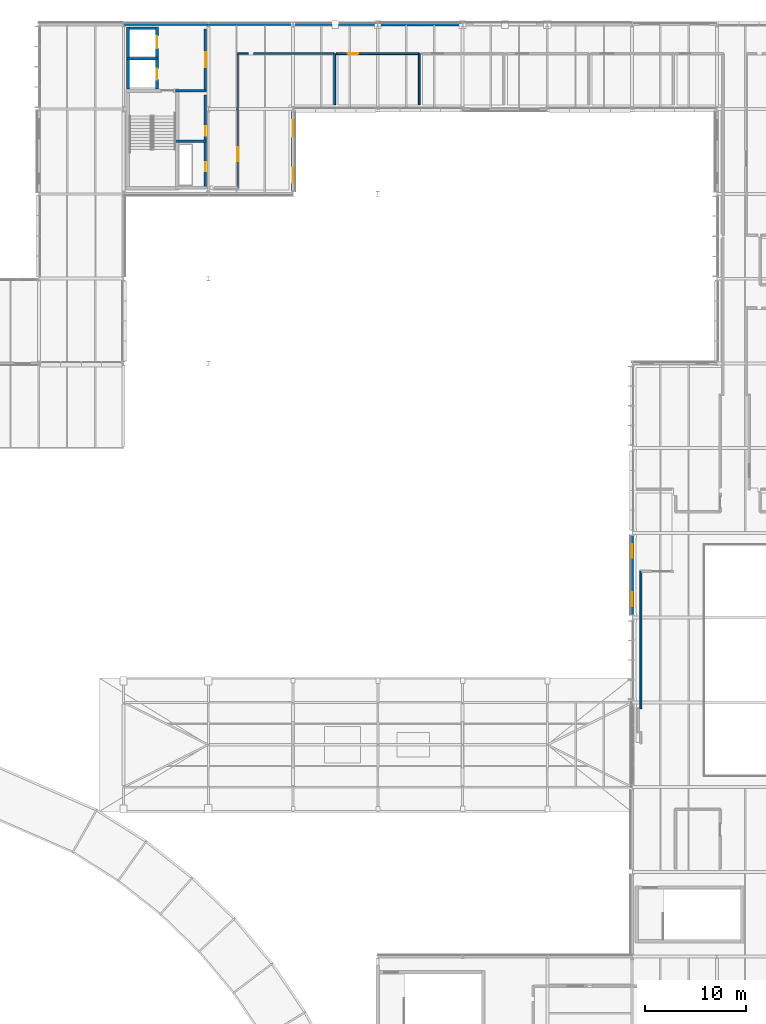
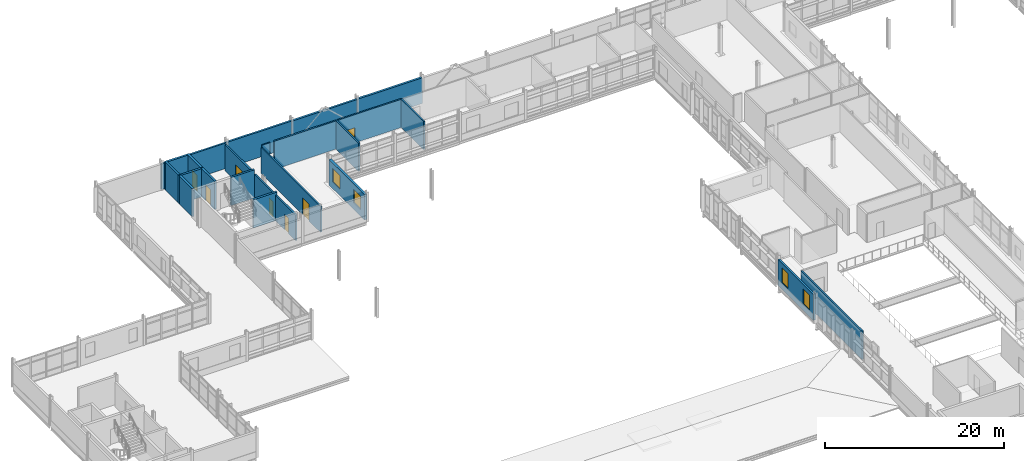
# One storey, part 125 of 151: 24 walls, 7 doors, 4 windows, 11 openings.
"""IFC4 building model written with IfcOpenShell, lengths in metres."""

from ifc_helpers import new_model, si_unit, direction, frame, frame_2d, origin, place, context, subcontext, project, spatial, rectangle, extrude, material, layer, layer_set, type_object, element, fill, save


model = new_model("IFC4")

# Units and contexts
model_context = context("Model", 3, precision=1e-05, world=origin(), true_north=direction((0.0, 1.0)))
body_context = subcontext(model_context, "Body", "Model", "MODEL_VIEW")
ifc_project = project(units=[si_unit("LENGTHUNIT", "METRE"), si_unit("AREAUNIT", "SQUARE_METRE"), si_unit("VOLUMEUNIT", "CUBIC_METRE"), si_unit("PLANEANGLEUNIT", "RADIAN"), si_unit("MASSUNIT", "GRAM", prefix="KILO")], contexts=[model_context])

# Site, building, storey
site_placement = place(None, origin())
site = spatial("IfcSite", under=ifc_project, at=site_placement, CompositionType="ELEMENT")
building_placement = place(site_placement, origin())
building = spatial("IfcBuilding", under=site, at=building_placement, Name="Mersafa Astral City Hall", CompositionType="ELEMENT")
storey_placement = place(building_placement, frame((0.0, 0.0, 9.89990234375)))
storey = spatial("IfcBuildingStorey", under=building, at=storey_placement, Name="L02", CompositionType="ELEMENT", Elevation=9.89990234375)

# Walls
ifc_material_1 = material(Name="Precast concrete C40/50 insulated terracotta spandrel", Category="masonry")
ifc_layer_1 = layer(ifc_material_1, 0.235107421875, Name="Precast concrete C40/50 insulated terracotta spandrel")
ifc_layer_set_1 = layer_set([ifc_layer_1], Name="Precast concrete C40/50 insulated terracotta spandrel — ENV-WAL-EXT-235")
wall_type_1 = type_object("IfcWallType", Name="ENV-WAL-EXT-235", PredefinedType="STANDARD", material=ifc_layer_set_1)
wall_1_placement = place(storey_placement, frame((50.39208984375, 126.0, 0.0), z_axis=(0.0, 0.0, 1.0), x_axis=(-1.0, 0.0, 0.0)))
element("IfcWall", 1, at=wall_1_placement, inside=storey, type_object=wall_type_1, Name="L02 Limestone-clad exterior wall 203", PredefinedType="STANDARD", context=body_context, shape_type="SweptSolid", body=[
    extrude(rectangle(XDim=8.384033203125, YDim=0.235107421875, at=frame_2d((4.19189453125, 0.0))), origin(), (0.0, 0.0, 1.0), 3.47216796875),
])
ifc_layer_2 = layer(ifc_material_1, 0.25, Name="Precast concrete C40/50 insulated terracotta spandrel")
ifc_layer_set_2 = layer_set([ifc_layer_2], Name="Precast concrete C40/50 insulated terracotta spandrel — ENV-WAL-EXT-250")
wall_type_2 = type_object("IfcWallType", Name="ENV-WAL-EXT-250", PredefinedType="STANDARD", material=ifc_layer_set_2)
wall_2_placement = place(storey_placement, frame((58.7919921875, 126.0, 0.0), z_axis=(0.0, 0.0, 1.0), x_axis=(-1.0, 0.0, 0.0)))
element("IfcWall", 2, at=wall_2_placement, inside=storey, type_object=wall_type_2, Name="L02 Limestone-clad exterior wall 202", PredefinedType="STANDARD", context=body_context, shape_type="SweptSolid", body=[
    extrude(rectangle(XDim=8.384033203125, YDim=0.25, at=frame_2d((4.19189453125, 0.0))), origin(), (0.0, 0.0, 1.0), 3.502197265625),
])

# Wall, openings, windows
wall_3_placement = place(storey_placement, frame((92.39990234375, 75.3291015625, 0.0), z_axis=(0.0, 0.0, 1.0), x_axis=(0.0, -1.0, 0.0)))
wall_3 = element("IfcWall", 3, at=wall_3_placement, inside=storey, type_object=wall_type_2, Name="L02 Limestone-clad exterior wall 220", PredefinedType="STANDARD", context=body_context, shape_type="SweptSolid", body=[
    extrude(rectangle(XDim=7.858154296875, YDim=0.25, at=frame_2d((3.92919921875, 0.0))), origin(), (0.0, 0.0, 1.0), 3.56201171875),
])
opening_1_placement = place(wall_3_placement, frame((0.85009765625, 0.0, 0.89990234375)))
opening_1 = element("IfcOpeningElement", 4, at=opening_1_placement, cuts=wall_3, Name="Opening W-54", PredefinedType="OPENING", context=body_context, shape_type="SweptSolid", body=[
    extrude(rectangle(XDim=1.320068359375, YDim=2.050048828125, at=frame_2d((0.66015625, 1.02490234375))), frame((0.0, 0.135009765625, 0.0), z_axis=(0.0, -1.0, 0.0), x_axis=(1.0, 0.0, 0.0)), (0.0, 0.0, 1.0), 0.27001953125),
])
opening_2_placement = place(wall_3_placement, frame((5.587890625, 0.0, 0.89990234375)))
opening_2 = element("IfcOpeningElement", 5, at=opening_2_placement, cuts=wall_3, Name="Opening W-55", PredefinedType="OPENING", context=body_context, shape_type="SweptSolid", body=[
    extrude(rectangle(XDim=1.419921875, YDim=2.050048828125, at=frame_2d((0.7099609375, 1.02490234375))), frame((0.0, 0.135009765625, 0.0), z_axis=(0.0, -1.0, 0.0), x_axis=(1.0, 0.0, 0.0)), (0.0, 0.0, 1.0), 0.27001953125),
])
ifc_material_2 = material(Name="Solar control low-e double glazing in bronze frame", Category="glass")
window_type_1 = type_object("IfcWindowType", Name="ENV-WIN-W-54", PartitioningType="SINGLE_PANEL", PredefinedType="WINDOW", material=ifc_material_2)
window_1_placement = place(opening_1_placement, origin())
window_1 = element("IfcWindow", 6, at=window_1_placement, inside=storey, type_object=window_type_1, Name="L02 Solar punched window 220-L", OverallHeight=2.050048828125, OverallWidth=1.320068359375, PartitioningType="SINGLE_PANEL", PredefinedType="WINDOW", context=body_context, shape_type="SweptSolid", body=[
    extrude(rectangle(XDim=1.320068359375, YDim=2.050048828125, at=frame_2d((0.66015625, 1.02490234375))), frame((0.0, 0.030029296875, 0.0), z_axis=(0.0, -1.0, 0.0), x_axis=(1.0, 0.0, 0.0)), (0.0, 0.0, 1.0), 0.06005859375),
])
fill(opening_1, window_1)
window_type_2 = type_object("IfcWindowType", Name="ENV-WIN-W-55", PartitioningType="SINGLE_PANEL", PredefinedType="WINDOW", material=ifc_material_2)
window_2_placement = place(opening_2_placement, origin())
window_2 = element("IfcWindow", 7, at=window_2_placement, inside=storey, type_object=window_type_2, Name="L02 Solar punched window 220-R", OverallHeight=2.050048828125, OverallWidth=1.419921875, PartitioningType="SINGLE_PANEL", PredefinedType="WINDOW", context=body_context, shape_type="SweptSolid", body=[
    extrude(rectangle(XDim=1.419921875, YDim=2.050048828125, at=frame_2d((0.7099609375, 1.02490234375))), frame((0.0, 0.030029296875, 0.0), z_axis=(0.0, -1.0, 0.0), x_axis=(1.0, 0.0, 0.0)), (0.0, 0.0, 1.0), 0.06005859375),
])
fill(opening_2, window_2)

# Walls
ifc_material_3 = material(Name="Precast concrete C40/50 insulated limestone wall", Category="masonry")
ifc_layer_3 = layer(ifc_material_3, 0.264892578125, Name="Precast concrete C40/50 insulated limestone wall")
ifc_layer_set_3 = layer_set([ifc_layer_3], Name="Precast concrete C40/50 insulated limestone wall — ENV-WAL-EXT-265")
wall_type_3 = type_object("IfcWallType", Name="ENV-WAL-EXT-265", PredefinedType="STANDARD", material=ifc_layer_set_3)
wall_4_placement = place(storey_placement, frame((67.19189453125, 126.0, 0.0), z_axis=(0.0, 0.0, 1.0), x_axis=(-1.0, 0.0, 0.0)))
element("IfcWall", 8, at=wall_4_placement, inside=storey, type_object=wall_type_3, Name="L02 Limestone-clad exterior wall 201", PredefinedType="STANDARD", context=body_context, shape_type="SweptSolid", body=[
    extrude(rectangle(XDim=8.3837890625, YDim=0.264892578125, at=frame_2d((4.19189453125, 0.0))), origin(), (0.0, 0.0, 1.0), 3.47216796875),
])
ifc_layer_4 = layer(ifc_material_3, 0.280029296875, Name="Precast concrete C40/50 insulated limestone wall")
ifc_layer_set_4 = layer_set([ifc_layer_4], Name="Precast concrete C40/50 insulated limestone wall — ENV-WAL-EXT-280")
wall_type_4 = type_object("IfcWallType", Name="ENV-WAL-EXT-280", PredefinedType="STANDARD", material=ifc_layer_set_4)
wall_5_placement = place(storey_placement, frame((75.592041015625, 126.0, 0.0), z_axis=(0.0, 0.0, 1.0), x_axis=(-1.0, 0.0, 0.0)))
element("IfcWall", 9, at=wall_5_placement, inside=storey, type_object=wall_type_4, Name="L02 Limestone-clad exterior wall 200", PredefinedType="STANDARD", context=body_context, shape_type="SweptSolid", body=[
    extrude(rectangle(XDim=8.384033203125, YDim=0.280029296875, at=frame_2d((4.19189453125, 0.0))), origin(), (0.0, 0.0, 1.0), 3.502197265625),
])

# Wall, openings, windows
ifc_layer_5 = layer(ifc_material_3, 0.31005859375, Name="Precast concrete C40/50 insulated limestone wall")
ifc_layer_set_5 = layer_set([ifc_layer_5], Name="Precast concrete C40/50 insulated limestone wall — ENV-WAL-EXT-310")
wall_type_5 = type_object("IfcWallType", Name="ENV-WAL-EXT-310", PredefinedType="STANDARD", material=ifc_layer_set_5)
wall_6_placement = place(storey_placement, frame((58.800048828125, 109.446044921875, 0.0), z_axis=(0.0, 0.0, 1.0), x_axis=(0.0, 1.0, 0.0)))
wall_6 = element("IfcWall", 10, at=wall_6_placement, inside=storey, type_object=wall_type_5, Name="L02 Limestone-clad exterior wall 216", PredefinedType="STANDARD", context=body_context, shape_type="SweptSolid", body=[
    extrude(rectangle(XDim=7.907958984375, YDim=0.31005859375, at=frame_2d((3.9541015625, 0.0))), origin(), (0.0, 0.0, 1.0), 3.47216796875),
])
opening_3_placement = place(wall_6_placement, frame((0.85009765625, 0.0, 0.89990234375)))
opening_3 = element("IfcOpeningElement", 11, at=opening_3_placement, cuts=wall_6, Name="Opening W-46", PredefinedType="OPENING", context=body_context, shape_type="SweptSolid", body=[
    extrude(rectangle(XDim=1.52001953125, YDim=1.85009765625, at=frame_2d((0.760009765625, 0.925048828125))), frame((0.0, 0.1650390625, 0.0), z_axis=(0.0, -1.0, 0.0), x_axis=(1.0, 0.0, 0.0)), (0.0, 0.0, 1.0), 0.330078125),
])
opening_4_placement = place(wall_6_placement, frame((5.43798828125, 0.0, 0.89990234375)))
opening_4 = element("IfcOpeningElement", 12, at=opening_4_placement, cuts=wall_6, Name="Opening W-47", PredefinedType="OPENING", context=body_context, shape_type="SweptSolid", body=[
    extrude(rectangle(XDim=1.6201171875, YDim=1.85009765625, at=frame_2d((0.81005859375, 0.925048828125))), frame((0.0, 0.1650390625, 0.0), z_axis=(0.0, -1.0, 0.0), x_axis=(1.0, 0.0, 0.0)), (0.0, 0.0, 1.0), 0.330078125),
])
window_type_3 = type_object("IfcWindowType", Name="ENV-WIN-W-46", PartitioningType="SINGLE_PANEL", PredefinedType="WINDOW", material=ifc_material_2)
window_3_placement = place(opening_3_placement, origin())
window_3 = element("IfcWindow", 13, at=window_3_placement, inside=storey, type_object=window_type_3, Name="L02 Solar punched window 216-L", OverallHeight=1.85009765625, OverallWidth=1.52001953125, PartitioningType="SINGLE_PANEL", PredefinedType="WINDOW", context=body_context, shape_type="SweptSolid", body=[
    extrude(rectangle(XDim=1.52001953125, YDim=1.85009765625, at=frame_2d((0.760009765625, 0.925048828125))), frame((0.0, 0.030029296875, 0.0), z_axis=(0.0, -1.0, 0.0), x_axis=(1.0, 0.0, 0.0)), (0.0, 0.0, 1.0), 0.06005859375),
])
fill(opening_3, window_3)
window_type_4 = type_object("IfcWindowType", Name="ENV-WIN-W-47", PartitioningType="SINGLE_PANEL", PredefinedType="WINDOW", material=ifc_material_2)
window_4_placement = place(opening_4_placement, origin())
window_4 = element("IfcWindow", 14, at=window_4_placement, inside=storey, type_object=window_type_4, Name="L02 Solar punched window 216-R", OverallHeight=1.85009765625, OverallWidth=1.6201171875, PartitioningType="SINGLE_PANEL", PredefinedType="WINDOW", context=body_context, shape_type="SweptSolid", body=[
    extrude(rectangle(XDim=1.6201171875, YDim=1.85009765625, at=frame_2d((0.81005859375, 0.925048828125))), frame((0.0, 0.030029296875, 0.0), z_axis=(0.0, -1.0, 0.0), x_axis=(1.0, 0.0, 0.0)), (0.0, 0.0, 1.0), 0.06005859375),
])
fill(opening_4, window_4)

# Walls
ifc_material_4 = material(Name="Concrete C40/50", Category="concrete")
ifc_layer_6 = layer(ifc_material_4, 0.260009765625, Name="Concrete C40/50")
ifc_layer_set_6 = layer_set([ifc_layer_6], Name="Concrete C40/50 — INT-WAL-CORE-260")
wall_type_6 = type_object("IfcWallType", Name="INT-WAL-CORE-260", PredefinedType="SHEAR", material=ifc_layer_set_6)
wall_7_placement = place(storey_placement, frame((42.31494140625, 122.5849609375, 0.0), z_axis=(0.0, 0.0, 1.0), x_axis=(1.0, 0.0, 0.0)))
element("IfcWall", 15, at=wall_7_placement, inside=storey, type_object=wall_type_6, Name="L02 Lift LF5 north shaft wall", PredefinedType="SHEAR", context=body_context, shape_type="SweptSolid", body=[
    extrude(rectangle(XDim=3.130126953125, YDim=0.260009765625, at=frame_2d((1.56494140625, 0.0))), origin(), (0.0, 0.0, 1.0), 3.840087890625),
])
wall_8_placement = place(storey_placement, frame((42.445068359375, 119.596923828125, 0.0), z_axis=(0.0, 0.0, 1.0), x_axis=(0.0, 1.0, 0.0)))
element("IfcWall", 16, at=wall_8_placement, inside=storey, type_object=wall_type_6, Name="L02 Lift LF5 back shaft wall", PredefinedType="SHEAR", context=body_context, shape_type="SweptSolid", body=[
    extrude(rectangle(XDim=2.947998046875, YDim=0.260009765625, at=frame_2d((1.47412109375, 0.0))), origin(), (0.0, 0.0, 1.0), 3.840087890625),
])

# Wall, opening, door
wall_9_placement = place(storey_placement, frame((45.31494140625, 119.596923828125, 0.0), z_axis=(0.0, 0.0, 1.0), x_axis=(0.0, 1.0, 0.0)))
wall_9 = element("IfcWall", 17, at=wall_9_placement, inside=storey, type_object=wall_type_6, Name="L02 Lift LF5 front shaft wall", PredefinedType="SHEAR", context=body_context, shape_type="SweptSolid", body=[
    extrude(rectangle(XDim=2.947998046875, YDim=0.260009765625, at=frame_2d((1.47412109375, 0.0))), origin(), (0.0, 0.0, 1.0), 3.840087890625),
])
opening_5_placement = place(wall_9_placement, frame((0.924072265625, 0.0, 0.0)))
opening_5 = element("IfcOpeningElement", 18, at=opening_5_placement, cuts=wall_9, Name="Opening LD-1", PredefinedType="OPENING", context=body_context, shape_type="SweptSolid", body=[
    extrude(rectangle(XDim=1.10009765625, YDim=2.14990234375, at=frame_2d((0.550048828125, 1.074951171875))), frame((0.0, 0.139892578125, 0.0), z_axis=(0.0, -1.0, 0.0), x_axis=(1.0, 0.0, 0.0)), (0.0, 0.0, 1.0), 0.280029296875),
])
ifc_material_5 = material(Name="Stainless steel sliding lift landing door", Category="steel")
door_type_1 = type_object("IfcDoorType", Name="INT-DR-LIFT-LD1", OperationType="NOTDEFINED", PredefinedType="DOOR", material=ifc_material_5)
door_1_placement = place(opening_5_placement, origin())
door_1 = element("IfcDoor", 19, at=door_1_placement, inside=storey, type_object=door_type_1, Name="Elevator LF5 Sliding Landing Door L02", OperationType="DOUBLE_DOOR_SLIDING", OverallHeight=2.14990234375, OverallWidth=1.10009765625, PredefinedType="DOOR", context=body_context, shape_type="SweptSolid", body=[
    extrude(rectangle(XDim=1.10009765625, YDim=2.14990234375, at=frame_2d((0.550048828125, 1.074951171875))), frame((0.0, 0.02490234375, 0.0), z_axis=(0.0, -1.0, 0.0), x_axis=(1.0, 0.0, 0.0)), (0.0, 0.0, 1.0), 0.050048828125),
])
fill(opening_5, door_1)

# Walls
wall_10_placement = place(storey_placement, frame((42.31494140625, 125.635009765625, 0.0), z_axis=(0.0, 0.0, 1.0), x_axis=(1.0, 0.0, 0.0)))
element("IfcWall", 20, at=wall_10_placement, inside=storey, type_object=wall_type_6, Name="L02 Lift LF9 north shaft wall", PredefinedType="SHEAR", context=body_context, shape_type="SweptSolid", body=[
    extrude(rectangle(XDim=3.130126953125, YDim=0.260009765625, at=frame_2d((1.56494140625, 0.0))), origin(), (0.0, 0.0, 1.0), 3.840087890625),
])
wall_11_placement = place(storey_placement, frame((42.445068359375, 122.705078125, 0.0), z_axis=(0.0, 0.0, 1.0), x_axis=(0.0, 1.0, 0.0)))
element("IfcWall", 21, at=wall_11_placement, inside=storey, type_object=wall_type_6, Name="L02 Lift LF9 back shaft wall", PredefinedType="SHEAR", context=body_context, shape_type="SweptSolid", body=[
    extrude(rectangle(XDim=3.059814453125, YDim=0.260009765625, at=frame_2d((1.52978515625, 0.0))), origin(), (0.0, 0.0, 1.0), 3.840087890625),
])

# Wall, opening, door
wall_12_placement = place(storey_placement, frame((45.31494140625, 122.705078125, 0.0), z_axis=(0.0, 0.0, 1.0), x_axis=(0.0, 1.0, 0.0)))
wall_12 = element("IfcWall", 22, at=wall_12_placement, inside=storey, type_object=wall_type_6, Name="L02 Lift LF9 front shaft wall", PredefinedType="SHEAR", context=body_context, shape_type="SweptSolid", body=[
    extrude(rectangle(XDim=3.059814453125, YDim=0.260009765625, at=frame_2d((1.52978515625, 0.0))), origin(), (0.0, 0.0, 1.0), 3.840087890625),
])
opening_6_placement = place(wall_12_placement, frame((0.929931640625, 0.0, 0.0)))
opening_6 = element("IfcOpeningElement", 23, at=opening_6_placement, cuts=wall_12, Name="Opening LD-2", PredefinedType="OPENING", context=body_context, shape_type="SweptSolid", body=[
    extrude(rectangle(XDim=1.199951171875, YDim=2.14990234375, at=frame_2d((0.60009765625, 1.074951171875))), frame((0.0, 0.139892578125, 0.0), z_axis=(0.0, -1.0, 0.0), x_axis=(1.0, 0.0, 0.0)), (0.0, 0.0, 1.0), 0.280029296875),
])
ifc_material_6 = material(Name="Heavy-duty sliding goods lift landing door", Category="metal")
door_type_2 = type_object("IfcDoorType", Name="INT-DR-LIFT-LD2", OperationType="NOTDEFINED", PredefinedType="DOOR", material=ifc_material_6)
door_2_placement = place(opening_6_placement, origin())
door_2 = element("IfcDoor", 24, at=door_2_placement, inside=storey, type_object=door_type_2, Name="Elevator LF9 Sliding Landing Door L02", OperationType="DOUBLE_DOOR_SLIDING", OverallHeight=2.14990234375, OverallWidth=1.199951171875, PredefinedType="DOOR", context=body_context, shape_type="SweptSolid", body=[
    extrude(rectangle(XDim=1.199951171875, YDim=2.14990234375, at=frame_2d((0.60009765625, 1.074951171875))), frame((0.0, 0.02490234375, 0.0), z_axis=(0.0, -1.0, 0.0), x_axis=(1.0, 0.0, 0.0)), (0.0, 0.0, 1.0), 0.050048828125),
])
fill(opening_6, door_2)

# Walls
for number, where, z_axis, x_axis, name in (
    (25, (47.1650390625, 114.43505859375, 0.0), (0.0, 0.0, 1.0), (1.0, 0.0, 0.0), "L02 Core K3 riser-restroom divider wall"),
    (26, (47.1650390625, 119.43505859375, 0.0), (0.0, 0.0, 1.0), (1.0, 0.0, 0.0), "L02 Core K3 restroom-lobby divider wall"),
):
    element("IfcWall", number, at=place(storey_placement, frame(where, z_axis=z_axis, x_axis=x_axis)), inside=storey, type_object=wall_type_6, Name=name, PredefinedType="SHEAR", context=body_context, shape_type="SweptSolid", body=[
        extrude(rectangle(XDim=3.034912109375, YDim=0.260009765625, at=frame_2d((1.517578125, 0.0))), origin(), (0.0, 0.0, 1.0), 3.840087890625),
    ])
ifc_material_7 = material(Name="Fire-rated gypsum stud partition", Category="gypsum")
ifc_layer_7 = layer(ifc_material_7, 0.1650390625, Name="Fire-rated gypsum stud partition")
ifc_layer_set_7 = layer_set([ifc_layer_7], Name="Fire-rated gypsum stud partition — INT-WAL-PART-EI60-165")
wall_type_7 = type_object("IfcWallType", Name="INT-WAL-PART-EI60-165", PredefinedType="STANDARD", material=ifc_layer_set_7)
wall_13_placement = place(storey_placement, frame((53.300048828125, 123.10009765625, -0.00390625), z_axis=(0.0, 0.0, 1.0), x_axis=(1.0, 0.0, 0.0)))
element("IfcWall", 27, at=wall_13_placement, inside=storey, type_object=wall_type_7, Name="L02 Interior partition wall 455", PredefinedType="STANDARD", context=body_context, shape_type="SweptSolid", body=[
    extrude(rectangle(XDim=1.0400390625, YDim=0.1650390625, at=frame_2d((0.52001953125, 0.0))), origin(), (0.0, 0.0, 1.0), 3.843994140625),
])

# Wall, opening, door
ifc_material_8 = material(Name="Acoustic twin-stud gypsum partition", Category="gypsum")
ifc_layer_8 = layer(ifc_material_8, 0.179931640625, Name="Acoustic twin-stud gypsum partition")
ifc_layer_set_8 = layer_set([ifc_layer_8], Name="Acoustic twin-stud gypsum partition — INT-WAL-PART-EI60-180")
wall_type_8 = type_object("IfcWallType", Name="INT-WAL-PART-EI60-180", PredefinedType="STANDARD", material=ifc_layer_set_8)
wall_14_placement = place(storey_placement, frame((53.300048828125, 109.820068359375, -0.00390625), z_axis=(0.0, 0.0, 1.0), x_axis=(0.0, 1.0, 0.0)))
wall_14 = element("IfcWall", 28, at=wall_14_placement, inside=storey, type_object=wall_type_8, Name="L02 Interior partition wall 454", PredefinedType="STANDARD", context=body_context, shape_type="SweptSolid", body=[
    extrude(rectangle(XDim=13.280029296875, YDim=0.179931640625, at=frame_2d((6.64013671875, 0.0))), origin(), (0.0, 0.0, 1.0), 3.535888671875),
])
opening_7_placement = place(wall_14_placement, frame((2.6201171875, 0.0, 0.0)))
opening_7 = element("IfcOpeningElement", 29, at=opening_7_placement, cuts=wall_14, Name="Opening D-34", PredefinedType="OPENING", context=body_context, shape_type="SweptSolid", body=[
    extrude(rectangle(XDim=1.39990234375, YDim=2.300048828125, at=frame_2d((0.699951171875, 1.14990234375))), frame((0.0, 0.099853515625, 0.0), z_axis=(0.0, -1.0, 0.0), x_axis=(1.0, 0.0, 0.0)), (0.0, 0.0, 1.0), 0.199951171875),
])
ifc_material_9 = material(Name="Cedar veneered acoustic fire-rated timber door", Category="wood")
door_type_3 = type_object("IfcDoorType", Name="INT-DR-RM-D-34", OperationType="NOTDEFINED", PredefinedType="DOOR", material=ifc_material_9)
door_3_placement = place(opening_7_placement, origin())
door_3 = element("IfcDoor", 30, at=door_3_placement, inside=storey, type_object=door_type_3, Name="L02 Standing Committee Room L02-12 Entrance Door", OperationType="SINGLE_SWING_RIGHT", OverallHeight=2.300048828125, OverallWidth=1.39990234375, PredefinedType="DOOR", context=body_context, shape_type="SweptSolid", body=[
    extrude(rectangle(XDim=1.39990234375, YDim=2.300048828125, at=frame_2d((0.699951171875, 1.14990234375))), frame((0.0, 0.02490234375, 0.0), z_axis=(0.0, -1.0, 0.0), x_axis=(1.0, 0.0, 0.0)), (0.0, 0.0, 1.0), 0.050048828125),
])
fill(opening_7, door_3)

# Walls
wall_15_placement = place(storey_placement, frame((71.31005859375, 123.10009765625, -0.00390625), z_axis=(0.0, 0.0, 1.0), x_axis=(0.0, -1.0, 0.0)))
element("IfcWall", 31, at=wall_15_placement, inside=storey, type_object=wall_type_8, Name="L02 Interior partition wall 482", PredefinedType="STANDARD", context=body_context, shape_type="SweptSolid", body=[
    extrude(rectangle(XDim=5.080078125, YDim=0.179931640625, at=frame_2d((2.5400390625, 0.0))), origin(), (0.0, 0.0, 1.0), 3.843994140625),
])
ifc_layer_9 = layer(ifc_material_8, 0.195068359375, Name="Acoustic twin-stud gypsum partition")
ifc_layer_set_9 = layer_set([ifc_layer_9], Name="Acoustic twin-stud gypsum partition — INT-WAL-PART-EI60-195")
wall_type_9 = type_object("IfcWallType", Name="INT-WAL-PART-EI60-195", PredefinedType="STANDARD", material=ifc_layer_set_9)
wall_16_placement = place(storey_placement, frame((62.909912109375, 123.10009765625, -0.00390625), z_axis=(0.0, 0.0, 1.0), x_axis=(0.0, -1.0, 0.0)))
element("IfcWall", 32, at=wall_16_placement, inside=storey, type_object=wall_type_9, Name="L02 Interior partition wall 457", PredefinedType="STANDARD", context=body_context, shape_type="SweptSolid", body=[
    extrude(rectangle(XDim=5.080078125, YDim=0.195068359375, at=frame_2d((2.5400390625, 0.0))), origin(), (0.0, 0.0, 1.0), 3.843994140625),
])

# Wall, opening, door
wall_17_placement = place(storey_placement, frame((63.090087890625, 123.10009765625, -0.00390625), z_axis=(0.0, 0.0, 1.0), x_axis=(1.0, 0.0, 0.0)))
wall_17 = element("IfcWall", 33, at=wall_17_placement, inside=storey, type_object=wall_type_9, Name="L02 Interior partition wall 481", PredefinedType="STANDARD", context=body_context, shape_type="SweptSolid", body=[
    extrude(rectangle(XDim=8.219970703125, YDim=0.195068359375, at=frame_2d((4.10986328125, 0.0))), origin(), (0.0, 0.0, 1.0), 3.843994140625),
])
opening_8_placement = place(wall_17_placement, frame((1.1240234375, 0.0, 0.0)))
opening_8 = element("IfcOpeningElement", 34, at=opening_8_placement, cuts=wall_17, Name="Opening D-03", PredefinedType="OPENING", context=body_context, shape_type="SweptSolid", body=[
    extrude(rectangle(XDim=1.0400390625, YDim=2.06005859375, at=frame_2d((0.52001953125, 1.030029296875))), frame((0.0, 0.107421875, 0.0), z_axis=(0.0, -1.0, 0.0), x_axis=(1.0, 0.0, 0.0)), (0.0, 0.0, 1.0), 0.215087890625),
])
door_type_4 = type_object("IfcDoorType", Name="INT-DR-RM-D-03", OperationType="NOTDEFINED", PredefinedType="DOOR", material=ifc_material_9)
door_4_placement = place(opening_8_placement, origin())
door_4 = element("IfcDoor", 35, at=door_4_placement, inside=storey, type_object=door_type_4, Name="L02 GIS & Cadastre Mapping Laboratory L02-17 Entrance Door", OperationType="SINGLE_SWING_LEFT", OverallHeight=2.06005859375, OverallWidth=1.0400390625, PredefinedType="DOOR", context=body_context, shape_type="SweptSolid", body=[
    extrude(rectangle(XDim=1.0400390625, YDim=2.06005859375, at=frame_2d((0.52001953125, 1.030029296875))), frame((0.0, 0.02490234375, 0.0), z_axis=(0.0, -1.0, 0.0), x_axis=(1.0, 0.0, 0.0)), (0.0, 0.0, 1.0), 0.050048828125),
])
fill(opening_8, door_4)

# Wall
wall_18_placement = place(storey_placement, frame((93.27001953125, 71.7900390625, -0.00390625), z_axis=(0.0, 0.0, 1.0), x_axis=(0.0, -1.0, 0.0)))
element("IfcWall", 36, at=wall_18_placement, inside=storey, type_object=wall_type_9, Name="L02 Interior partition wall 493", PredefinedType="STANDARD", context=body_context, shape_type="SweptSolid", body=[
    extrude(rectangle(XDim=13.610107421875, YDim=0.195068359375, at=frame_2d((6.80517578125, 0.0))), origin(), (0.0, 0.0, 1.0), 3.843994140625),
])

# Wall, opening, door
ifc_material_10 = material(Name="Autoclaved aerated concrete blockwork plastered", Category="masonry")
ifc_layer_10 = layer(ifc_material_10, 0.2099609375, Name="Autoclaved aerated concrete blockwork plastered")
ifc_layer_set_10 = layer_set([ifc_layer_10], Name="Autoclaved aerated concrete blockwork plastered — INT-WAL-PART-EI60-210")
wall_type_10 = type_object("IfcWallType", Name="INT-WAL-PART-EI60-210", PredefinedType="STANDARD", material=ifc_layer_set_10)
wall_19_placement = place(storey_placement, frame((50.10009765625, 109.820068359375, 0.0), z_axis=(0.0, 0.0, 1.0), x_axis=(0.0, 1.0, 0.0)))
wall_19 = element("IfcWall", 37, at=wall_19_placement, inside=storey, type_object=wall_type_10, Name="L02 Core K3 riser corridor partition", PredefinedType="STANDARD", context=body_context, shape_type="SweptSolid", body=[
    extrude(rectangle(XDim=4.58984375, YDim=0.2099609375, at=frame_2d((2.294921875, 0.0))), origin(), (0.0, 0.0, 1.0), 3.482177734375),
])
opening_9_placement = place(wall_19_placement, frame((1.60009765625, 0.0, 0.0)))
opening_9 = element("IfcOpeningElement", 38, at=opening_9_placement, cuts=wall_19, Name="Opening CD-5", PredefinedType="OPENING", context=body_context, shape_type="SweptSolid", body=[
    extrude(rectangle(XDim=0.89990234375, YDim=2.10009765625, at=frame_2d((0.449951171875, 1.050048828125))), frame((0.0, 0.114990234375, 0.0), z_axis=(0.0, -1.0, 0.0), x_axis=(1.0, 0.0, 0.0)), (0.0, 0.0, 1.0), 0.22998046875),
])
ifc_material_11 = material(Name="Fire-rated steel riser access door", Category="steel")
door_type_5 = type_object("IfcDoorType", Name="INT-DR-RISER-FD60-900", OperationType="NOTDEFINED", PredefinedType="DOOR", material=ifc_material_11)
door_5_placement = place(opening_9_placement, origin())
door_5 = element("IfcDoor", 39, at=door_5_placement, inside=storey, type_object=door_type_5, Name="L02 K3 MEP Riser Access Door", OperationType="SINGLE_SWING_RIGHT", OverallHeight=2.10009765625, OverallWidth=0.89990234375, PredefinedType="DOOR", context=body_context, shape_type="SweptSolid", body=[
    extrude(rectangle(XDim=0.89990234375, YDim=2.10009765625, at=frame_2d((0.449951171875, 1.050048828125))), frame((0.0, 0.02490234375, 0.0), z_axis=(0.0, -1.0, 0.0), x_axis=(1.0, 0.0, 0.0)), (0.0, 0.0, 1.0), 0.050048828125),
])
fill(opening_9, door_5)

wall_20_placement = place(storey_placement, frame((50.10009765625, 114.52001953125, 0.0), z_axis=(0.0, 0.0, 1.0), x_axis=(0.0, 1.0, 0.0)))
wall_20 = element("IfcWall", 40, at=wall_20_placement, inside=storey, type_object=wall_type_10, Name="L02 Core K3 accessible WC corridor partition", PredefinedType="STANDARD", context=body_context, shape_type="SweptSolid", body=[
    extrude(rectangle(XDim=4.47998046875, YDim=0.2099609375, at=frame_2d((2.239990234375, 0.0))), origin(), (0.0, 0.0, 1.0), 3.482177734375),
])
opening_10_placement = place(wall_20_placement, frame((0.449951171875, 0.0, 0.0)))
opening_10 = element("IfcOpeningElement", 41, at=opening_10_placement, cuts=wall_20, Name="Opening CD-4", PredefinedType="OPENING", context=body_context, shape_type="SweptSolid", body=[
    extrude(rectangle(XDim=0.949951171875, YDim=2.14990234375, at=frame_2d((0.47509765625, 1.074951171875))), frame((0.0, 0.114990234375, 0.0), z_axis=(0.0, -1.0, 0.0), x_axis=(1.0, 0.0, 0.0)), (0.0, 0.0, 1.0), 0.22998046875),
])
ifc_material_12 = material(Name="Accessible timber acoustic WC door", Category="wood")
door_type_6 = type_object("IfcDoorType", Name="INT-DR-WC-FD30-950", OperationType="NOTDEFINED", PredefinedType="DOOR", material=ifc_material_12)
door_6_placement = place(opening_10_placement, origin())
door_6 = element("IfcDoor", 42, at=door_6_placement, inside=storey, type_object=door_type_6, Name="L02 K3 Accessible Restroom Door", OperationType="SINGLE_SWING_LEFT", OverallHeight=2.14990234375, OverallWidth=0.949951171875, PredefinedType="DOOR", context=body_context, shape_type="SweptSolid", body=[
    extrude(rectangle(XDim=0.949951171875, YDim=2.14990234375, at=frame_2d((0.47509765625, 1.074951171875))), frame((0.0, 0.02490234375, 0.0), z_axis=(0.0, -1.0, 0.0), x_axis=(1.0, 0.0, 0.0)), (0.0, 0.0, 1.0), 0.050048828125),
])
fill(opening_10, door_6)

wall_21_placement = place(storey_placement, frame((50.10009765625, 119.43994140625, 0.0), z_axis=(0.0, 0.0, 1.0), x_axis=(0.0, 1.0, 0.0)))
wall_21 = element("IfcWall", 43, at=wall_21_placement, inside=storey, type_object=wall_type_10, Name="L02 Core K3 lobby corridor partition", PredefinedType="STANDARD", context=body_context, shape_type="SweptSolid", body=[
    extrude(rectangle(XDim=6.1201171875, YDim=0.2099609375, at=frame_2d((3.06005859375, 0.0))), origin(), (0.0, 0.0, 1.0), 3.522216796875),
])
opening_11_placement = place(wall_21_placement, frame((2.31005859375, 0.0, 0.0)))
opening_11 = element("IfcOpeningElement", 44, at=opening_11_placement, cuts=wall_21, Name="Opening CD-3", PredefinedType="OPENING", context=body_context, shape_type="SweptSolid", body=[
    extrude(rectangle(XDim=1.5, YDim=2.199951171875, at=frame_2d((0.75, 1.10009765625))), frame((0.0, 0.114990234375, 0.0), z_axis=(0.0, -1.0, 0.0), x_axis=(1.0, 0.0, 0.0)), (0.0, 0.0, 1.0), 0.22998046875),
])
ifc_material_13 = material(Name="Fire-rated glazed lobby door pair", Category="metal")
door_type_7 = type_object("IfcDoorType", Name="INT-DR-LOBBY-FD90-1500", OperationType="NOTDEFINED", PredefinedType="DOOR", material=ifc_material_13)
door_7_placement = place(opening_11_placement, origin())
door_7 = element("IfcDoor", 45, at=door_7_placement, inside=storey, type_object=door_type_7, Name="L02 K3 Lift Lobby Fire Door", OperationType="DOUBLE_DOOR_SINGLE_SWING", OverallHeight=2.199951171875, OverallWidth=1.5, PredefinedType="DOOR", context=body_context, shape_type="SweptSolid", body=[
    extrude(rectangle(XDim=1.5, YDim=2.199951171875, at=frame_2d((0.75, 1.10009765625))), frame((0.0, 0.02490234375, 0.0), z_axis=(0.0, -1.0, 0.0), x_axis=(1.0, 0.0, 0.0)), (0.0, 0.0, 1.0), 0.050048828125),
])
fill(opening_11, door_7)

# Wall
wall_22_placement = place(storey_placement, frame((54.860107421875, 123.10009765625, -0.00390625), z_axis=(0.0, 0.0, 1.0), x_axis=(1.0, 0.0, 0.0)))
element("IfcWall", 46, at=wall_22_placement, inside=storey, type_object=wall_type_10, Name="L02 Interior partition wall 456", PredefinedType="STANDARD", context=body_context, shape_type="SweptSolid", body=[
    extrude(rectangle(XDim=8.0498046875, YDim=0.2099609375, at=frame_2d((4.02490234375, 0.0))), origin(), (0.0, 0.0, 1.0), 3.843994140625),
])

save(model, "model.ifc")
